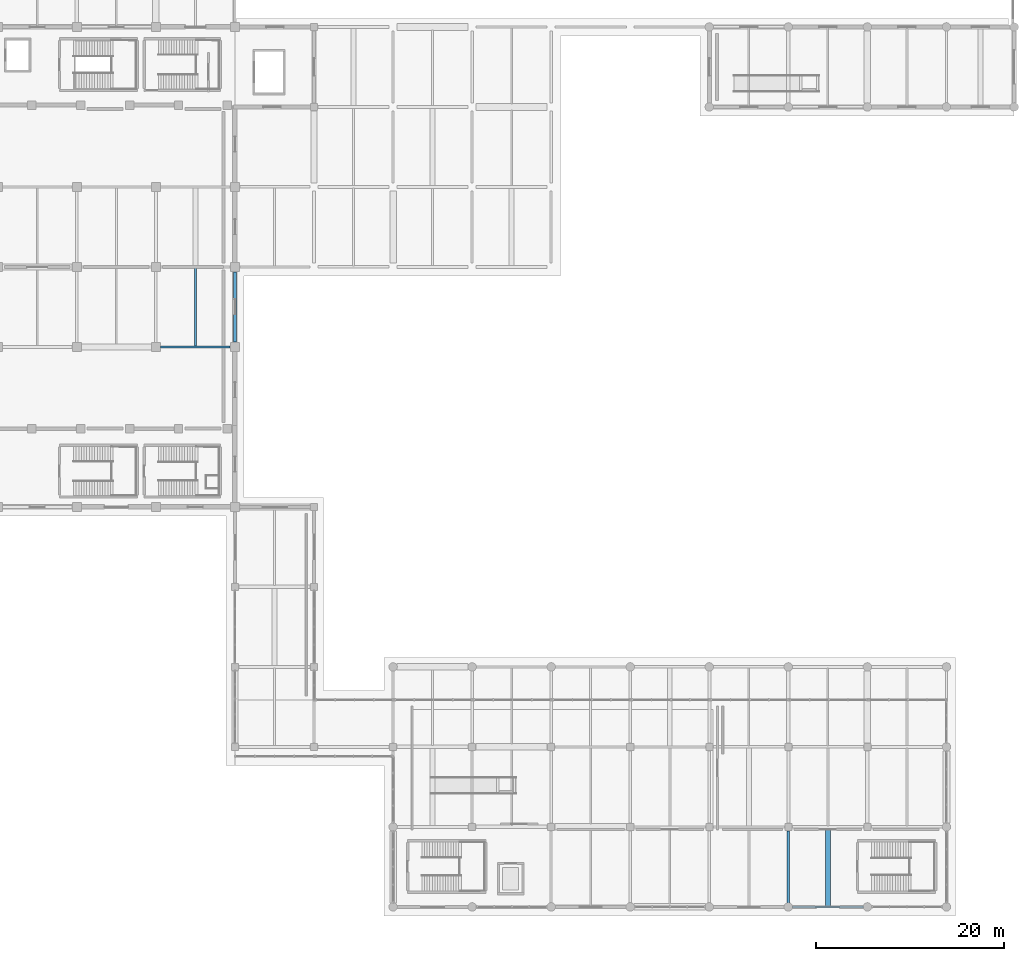
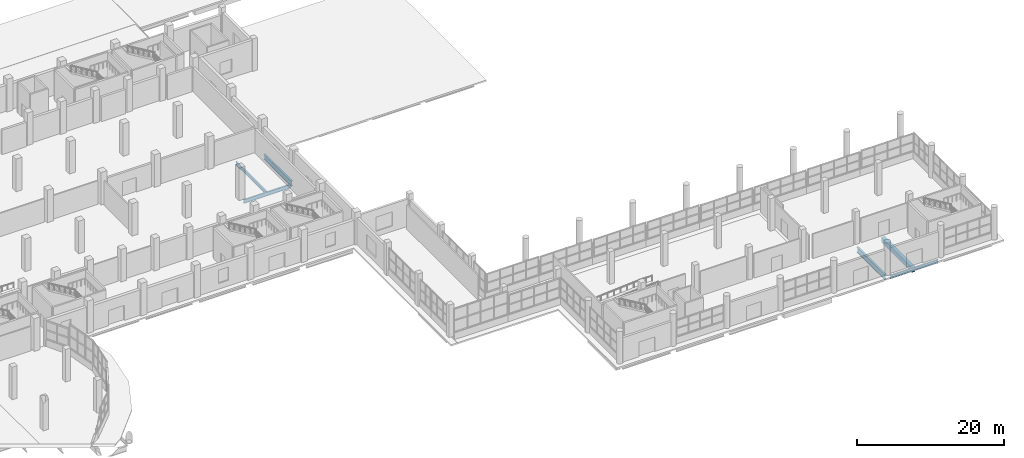
# One storey, part 54 of 107: 6 beams.
"""IFC4 building model written with IfcOpenShell, lengths in metres."""

import ifcopenshell
import ifcopenshell.guid

model = None  # the IFC model being written
_history = None  # IfcOwnerHistory: only IFC2X3 demands one
_inside = {}  # id of a spatial element -> (the spatial element, [elements in it])
_under = {}  # id of a project, library or spatial element -> (it, [spatial elements below it])
_declared = {}  # id of a project -> (the project, [libraries it declares])
_typed = {}  # id of a type object -> (the type object, [elements of that type])
_made_of = {}  # id of a material, layer set ... -> (it, [elements and type objects made of it])


def new_model(schema):
    """Start an empty IFC model of exactly this schema.

    Asked for "IFC4X3", IfcOpenShell would pick the latest addendum, in which some entities
    have other attributes; the version numbers below select the first issue.
    IFC2X3 requires an IfcOwnerHistory on every rooted entity: one is made here for all.
    """
    global model, _history
    if schema == "IFC4X3":
        model = ifcopenshell.file(schema_version=(4, 3, 0, 0))
    else:
        model = ifcopenshell.file(schema=schema)
    _inside.clear()
    _under.clear()
    _declared.clear()
    _typed.clear()
    _made_of.clear()
    _history = None
    if model.schema == "IFC2X3":
        org = make("IfcOrganization", Name="unknown")
        user = make(
            "IfcPersonAndOrganization",
            ThePerson=make("IfcPerson", FamilyName="unknown"),
            TheOrganization=org,
        )
        app = make(
            "IfcApplication",
            ApplicationDeveloper=org,
            Version="unknown",
            ApplicationFullName="unknown",
            ApplicationIdentifier="unknown",
        )
        _history = make(
            "IfcOwnerHistory",
            OwningUser=user,
            OwningApplication=app,
            ChangeAction="ADDED",
            CreationDate=0,
        )
    return model


def make(cls, **values):
    """One entity of the class cls with the attributes given. An attribute that is None is left unset."""
    return model.create_entity(
        cls, **{name: value for name, value in values.items() if value is not None}
    )


def rooted(cls, **values):
    """An entity with a GlobalId (a new one), such as an element, a storey or a relation."""
    return make(cls, GlobalId=ifcopenshell.guid.new(), OwnerHistory=_history, **values)


def si_unit(unit_type, name, prefix=None):
    """IfcSIUnit, for example si_unit("LENGTHUNIT", "METRE", prefix="MILLI")."""
    return make("IfcSIUnit", UnitType=unit_type, Prefix=prefix, Name=name)


def assignment(units):
    """IfcUnitAssignment: the units of a project."""
    return None if units is None else make("IfcUnitAssignment", Units=units)


def point(xyz):
    """IfcCartesianPoint."""
    return None if xyz is None else make("IfcCartesianPoint", Coordinates=xyz)


def direction(xyz):
    """IfcDirection."""
    return None if xyz is None else make("IfcDirection", DirectionRatios=xyz)


def frame(location, z_axis=None, x_axis=None):
    """IfcAxis2Placement3D, a coordinate frame: its origin and axes. An axis left out is left unset."""
    return make(
        "IfcAxis2Placement3D",
        Location=point(location),
        Axis=direction(z_axis),
        RefDirection=direction(x_axis),
    )


def frame_2d(location, x_axis=None):
    """IfcAxis2Placement2D, a coordinate frame in the plane: its origin and x axis."""
    return make(
        "IfcAxis2Placement2D", Location=point(location), RefDirection=direction(x_axis)
    )


def origin():
    """The frame at (0, 0, 0) with its axes left unset."""
    return frame((0.0, 0.0, 0.0))


def origin_2d():
    """The frame at (0, 0) in the plane with its x axis left unset."""
    return frame_2d((0.0, 0.0))


def place(relative_to, where):
    """IfcLocalPlacement: puts the frame where relative to a parent placement (None: the world)."""
    return make(
        "IfcLocalPlacement", PlacementRelTo=relative_to, RelativePlacement=where
    )


def context(
    kind, dimensions, precision=None, world=None, true_north=None, identifier=None
):
    """IfcGeometricRepresentationContext, for example the 3D "Model" context."""
    return make(
        "IfcGeometricRepresentationContext",
        ContextIdentifier=identifier,
        ContextType=kind,
        CoordinateSpaceDimension=dimensions,
        Precision=precision,
        WorldCoordinateSystem=world,
        TrueNorth=true_north,
    )


def subcontext(parent, identifier, kind, view, scale=None):
    """IfcGeometricRepresentationSubContext, for example "Body" below "Model"."""
    return make(
        "IfcGeometricRepresentationSubContext",
        ContextIdentifier=identifier,
        ContextType=kind,
        ParentContext=parent,
        TargetScale=scale,
        TargetView=view,
    )


def project(units=None, contexts=None):
    """IfcProject with its units and contexts."""
    return rooted(
        "IfcProject",
        Name="project",
        RepresentationContexts=contexts,
        UnitsInContext=assignment(units),
    )


def spatial(cls, under=None, at=None, **own):
    """A site, building, storey or space (cls), placed at a placement, below another one or the project."""
    s = rooted(cls, ObjectPlacement=at, **own)
    if under is not None:
        _under.setdefault(under.id(), (under, []))[1].append(s)
    return s


def profile(cls, at=None, kind="AREA", **sizes):
    """A parametric profile (cls). Its sizes go by their IFC names, for example OverallWidth=200.0."""
    return make(cls, ProfileType=kind, Position=at, **sizes)


def rectangle(**sizes):
    """IfcRectangleProfileDef."""
    return profile("IfcRectangleProfileDef", **sizes)


def i_section(**sizes):
    """IfcIShapeProfileDef."""
    return profile("IfcIShapeProfileDef", **sizes)


def extrude(swept, where, along, depth):
    """IfcExtrudedAreaSolid: the profile swept, set in the frame where, extruded along a direction by depth."""
    return make(
        "IfcExtrudedAreaSolid",
        SweptArea=swept,
        Position=where,
        ExtrudedDirection=direction(along),
        Depth=depth,
    )


def shape(context_of_items, identifier, shape_type, items):
    """IfcShapeRepresentation: the items that make up one representation, for example the "Body"."""
    return make(
        "IfcShapeRepresentation",
        ContextOfItems=context_of_items,
        RepresentationIdentifier=identifier,
        RepresentationType=shape_type,
        Items=items,
    )


def material(Name=None, Category=None):
    """IfcMaterial."""
    return make("IfcMaterial", Name=Name, Category=Category)


def material_profile(
    of_material, cross_section, Name=None, Category=None, Priority=None
):
    """IfcMaterialProfile: a cross section and its material."""
    return make(
        "IfcMaterialProfile",
        Name=Name,
        Material=of_material,
        Profile=cross_section,
        Priority=Priority,
        Category=Category,
    )


def profile_set(profiles, Name=None, composite=None):
    """IfcMaterialProfileSet."""
    return make(
        "IfcMaterialProfileSet",
        Name=Name,
        MaterialProfiles=profiles,
        CompositeProfile=composite,
    )


def made_of(thing, what):
    """Note that an element or type object is made of a material, layer set ...; save() writes the relation."""
    if what is not None:
        _made_of.setdefault(what.id(), (what, []))[1].append(thing)
    return thing


def type_object(cls, material=None, **own):
    """A type object (cls), such as IfcWallType, which elements share."""
    return made_of(rooted(cls, **own), material)


def element(
    cls,
    number,
    at=None,
    inside=None,
    cuts=None,
    type_object=None,
    material=None,
    context=None,
    identifier="Body",
    shape_type=None,
    held_by="IfcProductDefinitionShape",
    body=None,
    shapes=None,
    **own,
):
    """One element of the class cls, such as IfcWall. Its Tag is "e" and its number.

    at: its placement. inside: the storey or other place that contains it. cuts: it is an
    opening in that element (IfcRelVoidsElement). A single representation is given by context,
    identifier, shape_type and body (its items); several are given by shapes. held_by: the class
    of the entity that holds the representations. save() writes the other relations.
    """
    e = rooted(cls, Tag="e%d" % number, ObjectPlacement=at, **own)
    if body is not None:
        shapes = [shape(context, identifier, shape_type, body)]
    if shapes is not None:
        e.Representation = make(held_by, Representations=shapes)
    if inside is not None:
        _inside.setdefault(inside.id(), (inside, []))[1].append(e)
    if cuts is not None:
        rooted(
            "IfcRelVoidsElement", RelatingBuildingElement=cuts, RelatedOpeningElement=e
        )
    if type_object is not None:
        _typed.setdefault(type_object.id(), (type_object, []))[1].append(e)
    return made_of(e, material)


def aggregate(whole, parts):
    """IfcRelAggregates: a whole, such as a stair, and the parts it consists of."""
    return rooted("IfcRelAggregates", RelatingObject=whole, RelatedObjects=parts)


def save(model, path):
    """Write the relations noted so far, then the file.

    IfcRelAggregates (storeys below a building ...), IfcRelContainedInSpatialStructure (elements
    in a storey), IfcRelDefinesByType, IfcRelAssociatesMaterial and IfcRelDeclares: one each for
    every whole, place, type object, material and project.
    """
    for whole, parts in _under.values():
        aggregate(whole, parts)
    for where, things in _inside.values():
        rooted(
            "IfcRelContainedInSpatialStructure",
            RelatedElements=things,
            RelatingStructure=where,
        )
    for kind, things in _typed.values():
        rooted("IfcRelDefinesByType", RelatedObjects=things, RelatingType=kind)
    for what, things in _made_of.values():
        rooted("IfcRelAssociatesMaterial", RelatedObjects=things, RelatingMaterial=what)
    for by, libraries in _declared.values():
        rooted("IfcRelDeclares", RelatingContext=by, RelatedDefinitions=libraries)
    model.write(path)


model = new_model("IFC4")

# Units and contexts
model_context = context("Model", 3, precision=1e-05, world=origin(), true_north=direction((0.0, 1.0)))
body_context = subcontext(model_context, "Body", "Model", "MODEL_VIEW")
ifc_project = project(units=[si_unit("LENGTHUNIT", "METRE"), si_unit("AREAUNIT", "SQUARE_METRE"), si_unit("VOLUMEUNIT", "CUBIC_METRE"), si_unit("PLANEANGLEUNIT", "RADIAN"), si_unit("MASSUNIT", "GRAM", prefix="KILO")], contexts=[model_context])

# Site, building, storey
site_placement = place(None, origin())
site = spatial("IfcSite", under=ifc_project, at=site_placement, CompositionType="ELEMENT")
building_placement = place(site_placement, origin())
building = spatial("IfcBuilding", under=site, at=building_placement, Name="Solvento Point Concert Hall", CompositionType="ELEMENT")
storey_placement = place(building_placement, origin())
storey = spatial("IfcBuildingStorey", under=building, at=storey_placement, Name="L00", CompositionType="ELEMENT", Elevation=0.0)

# Beams
ifc_material_1 = material(Name="Concrete C35/45", Category="concrete")
ifc_material_profile_1 = material_profile(ifc_material_1, rectangle(XDim=0.52001953125, YDim=0.840087890625, at=origin_2d()), Name="RC-BM-520X840")
ifc_profile_set_1 = profile_set([ifc_material_profile_1], Name="Concrete C35/45")
beam_type_1 = type_object("IfcBeamType", Name="Beam_RC_520x840", PredefinedType="BEAM", material=ifc_profile_set_1)
beam_1_placement = place(storey_placement, frame((196.199951171875, 0.092041015625, -0.833984375), z_axis=(0.0, 1.0, 0.0), x_axis=(-1.0, 0.0, 0.0)))
element("IfcBeam", 1, at=beam_1_placement, inside=storey, type_object=beam_type_1, Name="Secondary floor joist B-54 L00", PredefinedType="BEAM", context=body_context, shape_type="SweptSolid", body=[
    extrude(rectangle(XDim=0.52001953125, YDim=0.840087890625, at=origin_2d()), origin(), (0.0, 0.0, 1.0), 8.294921875),
])
ifc_material_2 = material(Name="Structural Steel ASTM A992 Grade 50", Category="steel")
ifc_material_profile_2 = material_profile(ifc_material_2, i_section(OverallWidth=0.20947265625, OverallDepth=0.532958984375, WebThickness=0.01025390625, FlangeThickness=0.015625, at=origin_2d()), Name="W21X62")
ifc_profile_set_2 = profile_set([ifc_material_profile_2], Name="Structural Steel ASTM A992 Grade 50")
beam_type_2 = type_object("IfcBeamType", Name="Beam_W21X62", PredefinedType="BEAM", material=ifc_profile_set_2)
beam_2_placement = place(storey_placement, frame((129.0, 59.59912109375, -0.700439453125), z_axis=(0.0, 1.0, 0.0), x_axis=(-1.0, 0.0, 0.0)))
element("IfcBeam", 2, at=beam_2_placement, inside=storey, type_object=beam_type_2, Name="Secondary floor joist B-25 L00", PredefinedType="BEAM", context=body_context, shape_type="SweptSolid", body=[
    extrude(i_section(OverallWidth=0.20947265625, OverallDepth=0.532958984375, WebThickness=0.01025390625, FlangeThickness=0.015625, at=origin_2d()), origin(), (0.0, 0.0, 1.0), 8.308837890625),
])
ifc_material_3 = material(Name="Structural Steel ASTM A992 Grade 50", Category="steel")
ifc_material_profile_3 = material_profile(ifc_material_3, i_section(OverallWidth=0.214111328125, OverallDepth=0.549072265625, WebThickness=0.0146484375, FlangeThickness=0.023681640625, at=origin_2d()), Name="W21X93")
ifc_profile_set_3 = profile_set([ifc_material_profile_3], Name="Structural Steel ASTM A992 Grade 50")
beam_type_3 = type_object("IfcBeamType", Name="Beam_W21X93", PredefinedType="BEAM", material=ifc_profile_set_3)
beam_3_placement = place(storey_placement, frame((192.424072265625, 0.0, -0.6884765625), z_axis=(1.0, 0.0, 0.0), x_axis=(0.0, 1.0, 0.0)))
element("IfcBeam", 3, at=beam_3_placement, inside=storey, type_object=beam_type_3, Name="Primary girder B-48 L00", PredefinedType="BEAM", context=body_context, shape_type="SweptSolid", body=[
    extrude(i_section(OverallWidth=0.214111328125, OverallDepth=0.549072265625, WebThickness=0.0146484375, FlangeThickness=0.023681640625, at=origin_2d()), origin(), (0.0, 0.0, 1.0), 7.552001953125),
])
ifc_material_4 = material(Name="Structural Steel ASTM A992 Grade 50", Category="steel")
ifc_material_profile_4 = material_profile(ifc_material_4, i_section(OverallWidth=0.228515625, OverallDepth=0.60791015625, WebThickness=0.01123046875, FlangeThickness=0.017333984375, at=origin_2d()), Name="W24X76")
ifc_profile_set_4 = profile_set([ifc_material_profile_4], Name="Structural Steel ASTM A992 Grade 50")
beam_type_4 = type_object("IfcBeamType", Name="Beam_W24X76", PredefinedType="BEAM", material=ifc_profile_set_4)
beam_4_placement = place(storey_placement, frame((125.2939453125, 59.5, -0.738037109375), z_axis=(1.0, 0.0, 0.0), x_axis=(0.0, 1.0, 0.0)))
element("IfcBeam", 4, at=beam_4_placement, inside=storey, type_object=beam_type_4, Name="Primary girder B-42 L00", PredefinedType="BEAM", context=body_context, shape_type="SweptSolid", body=[
    extrude(i_section(OverallWidth=0.228515625, OverallDepth=0.60791015625, WebThickness=0.01123046875, FlangeThickness=0.017333984375, at=origin_2d()), origin(), (0.0, 0.0, 1.0), 7.386962890625),
])
ifc_material_5 = material(Name="Structural Steel ASTM A992 Grade 50", Category="steel")
ifc_material_profile_5 = material_profile(ifc_material_5, i_section(OverallWidth=0.2919921875, OverallDepth=0.85888671875, WebThickness=0.01708984375, FlangeThickness=0.031005859375, at=origin_2d()), Name="W33X169")
ifc_profile_set_5 = profile_set([ifc_material_profile_5], Name="Structural Steel ASTM A992 Grade 50")
beam_type_5 = type_object("IfcBeamType", Name="Girder_W33X169", PredefinedType="USERDEFINED", material=ifc_profile_set_5)
beam_5_placement = place(storey_placement, frame((133.199951171875, 60.01904296875, -0.863525390625), z_axis=(0.0, 1.0, 0.0), x_axis=(-1.0, 0.0, 0.0)))
element("IfcBeam", 5, at=beam_5_placement, inside=storey, type_object=beam_type_5, Name="Primary girder B-33 L00", ObjectType="GIRDER", PredefinedType="USERDEFINED", context=body_context, shape_type="SweptSolid", body=[
    extrude(i_section(OverallWidth=0.2919921875, OverallDepth=0.85888671875, WebThickness=0.01708984375, FlangeThickness=0.031005859375, at=origin_2d()), origin(), (0.0, 0.0, 1.0), 7.4619140625),
])
beam_6_placement = place(storey_placement, frame((192.0, 0.424072265625, -0.843505859375), z_axis=(0.0, 1.0, 0.0), x_axis=(-1.0, 0.0, 0.0)))
element("IfcBeam", 6, at=beam_6_placement, inside=storey, type_object=beam_type_5, Name="Primary girder B-33 L00", ObjectType="GIRDER", PredefinedType="USERDEFINED", context=body_context, shape_type="SweptSolid", body=[
    extrude(i_section(OverallWidth=0.2919921875, OverallDepth=0.85888671875, WebThickness=0.01708984375, FlangeThickness=0.031005859375, at=origin_2d()), origin(), (0.0, 0.0, 1.0), 7.65185546875),
])

save(model, "model.ifc")
